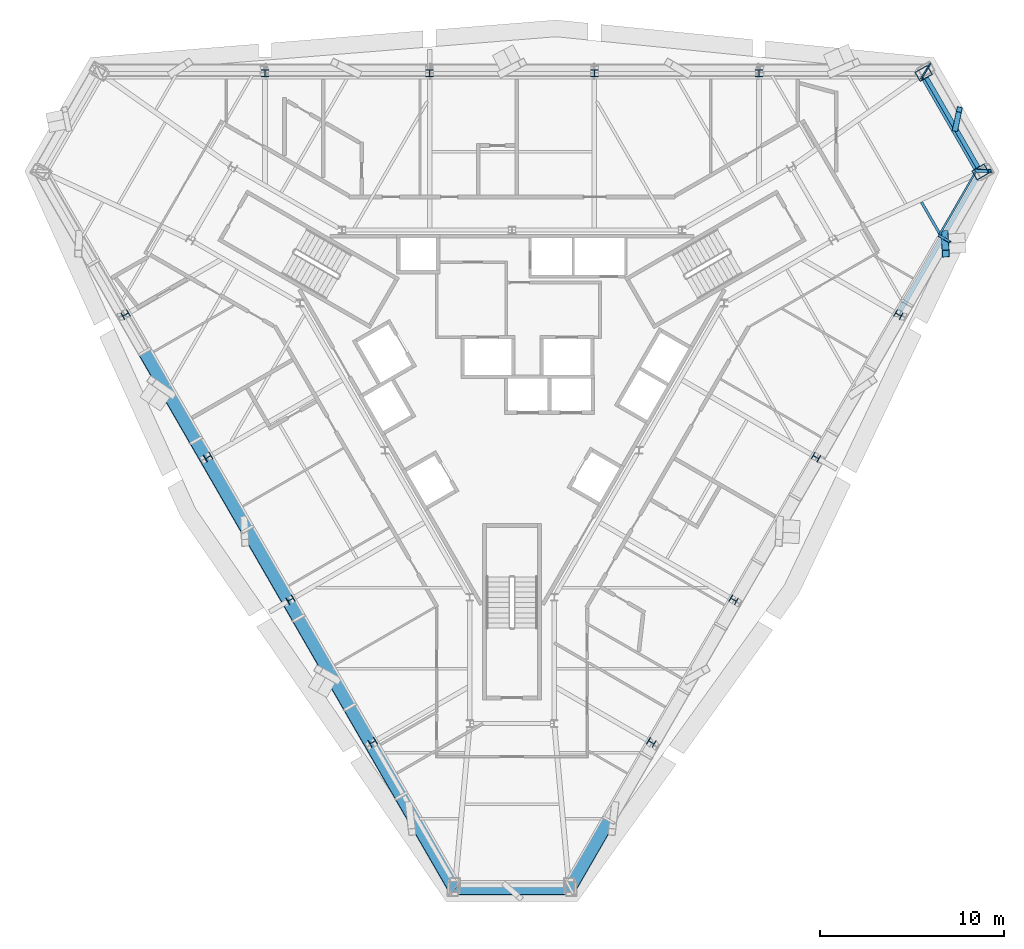
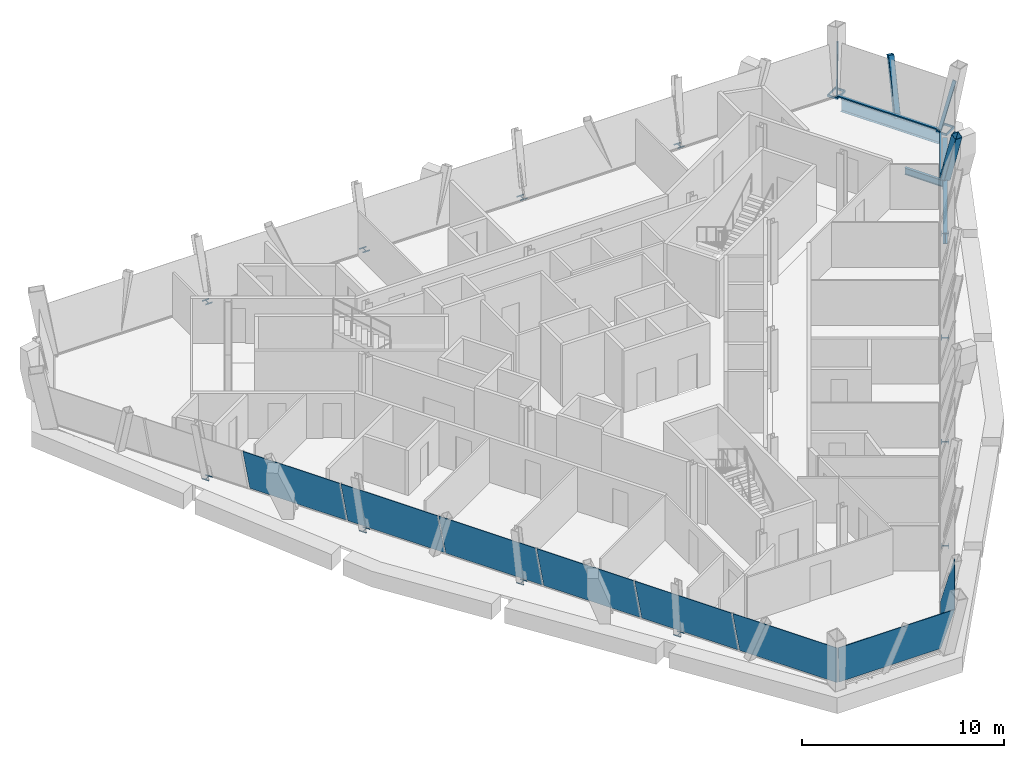
# One storey, part 6 of 13: 21 members, 8 plates, 3 beams, 5 elements without a shape of their own.
"""IFC4 building model written with IfcOpenShell, lengths in metres."""

from ifc_helpers import new_model, si_unit, direction, frame, origin, origin_2d, place, context, subcontext, project, spatial, polyline, rectangle, hollow_rectangle, i_section, outline, extrude, material, layer, layer_set, material_profile, profile_set, type_object, element, aggregate, save


model = new_model("IFC4")

# Units and contexts
model_context = context("Model", 3, precision=1e-05, world=origin(), true_north=direction((0.0, 1.0)))
body_context = subcontext(model_context, "Body", "Model", "MODEL_VIEW")
ifc_project = project(units=[si_unit("LENGTHUNIT", "METRE"), si_unit("AREAUNIT", "SQUARE_METRE"), si_unit("VOLUMEUNIT", "CUBIC_METRE"), si_unit("PLANEANGLEUNIT", "RADIAN"), si_unit("MASSUNIT", "GRAM", prefix="KILO")], contexts=[model_context])

# Site, building, storey
site_placement = place(None, origin())
site = spatial("IfcSite", under=ifc_project, at=site_placement, CompositionType="ELEMENT")
building_placement = place(site_placement, origin())
building = spatial("IfcBuilding", under=site, at=building_placement, Name="Verrane Prism Tower", CompositionType="ELEMENT")
storey_placement = place(building_placement, frame((0.0, 0.0, 243.39990234375)))
storey = spatial("IfcBuildingStorey", under=building, at=storey_placement, Name="L61", CompositionType="ELEMENT", Elevation=243.39990234375)

# Member
ifc_material_1 = material(Name="Steel A500 Grade C", Category="steel")
ifc_material_profile_1 = material_profile(ifc_material_1, hollow_rectangle(XDim=0.3046875, YDim=0.3046875, WallThickness=0.0126953125, InnerFilletRadius=0.00634765625, OuterFilletRadius=0.01904296875, at=origin_2d()), Name="HSS12x12x1/2")
ifc_profile_set_1 = profile_set([ifc_material_profile_1], Name="Steel A500 Grade C")
member_type_1 = type_object("IfcMemberType", Name="Chamfer brace HSS12x12x1/2", PredefinedType="BRACE", material=ifc_profile_set_1)
member_1_placement = place(storey_placement, frame((24.163818359375, 13.526611328125, -0.242431640625), z_axis=(0.065135196987, 0.315712381741, 0.946616658489), x_axis=(-0.979373884975, 0.202056411502, 0.0)))
element("IfcMember", 1, at=member_1_placement, inside=storey, type_object=member_type_1, Name="Chamfer brace NE0 L61", PredefinedType="BRACE", context=body_context, shape_type="SweptSolid", body=[
    extrude(hollow_rectangle(XDim=0.3046875, YDim=0.3046875, WallThickness=0.0126953125, InnerFilletRadius=0.00634765625, OuterFilletRadius=0.01904296875, at=origin_2d()), origin(), (0.0, 0.0, 1.0), 3.283447265625),
])

# Beam
ifc_material_2 = material(Name="Steel A992", Category="steel")
ifc_material_profile_2 = material_profile(ifc_material_2, i_section(OverallWidth=0.2666015625, OverallDepth=0.7568359375, WebThickness=0.013916015625, FlangeThickness=0.019287109375, FilletRadius=0.0166015625, at=origin_2d()), Name="W30x108")
ifc_profile_set_2 = profile_set([ifc_material_profile_2], Name="Steel A992")
beam_type_1 = type_object("IfcBeamType", Name="Chamfer spandrel beam W30x108", PredefinedType="SPANDREL", material=ifc_profile_set_2)
beam_1_placement = place(storey_placement, frame((25.3798828125, 11.419921875, -0.538330078125), z_axis=(-0.499927487467, 0.866067264868, 0.0), x_axis=(-0.866067264868, -0.499927487467, 0.0)))
element("IfcBeam", 2, at=beam_1_placement, inside=storey, type_object=beam_type_1, Name="Chamfer spandrel beam L61", PredefinedType="SPANDREL", context=body_context, shape_type="SweptSolid", body=[
    extrude(i_section(OverallWidth=0.2666015625, OverallDepth=0.7568359375, WebThickness=0.013916015625, FlangeThickness=0.019287109375, FilletRadius=0.0166015625, at=origin_2d()), origin(), (0.0, 0.0, 1.0), 5.600341796875),
])

# Member
ifc_material_3 = material(Name="Steel A500 Grade C", Category="steel")
ifc_material_profile_3 = material_profile(ifc_material_3, hollow_rectangle(XDim=0.406494140625, YDim=0.406494140625, WallThickness=0.01904296875, InnerFilletRadius=0.009521484375, OuterFilletRadius=0.028564453125, at=origin_2d()), Name="HSS16x16x3/4")
ifc_profile_set_3 = profile_set([ifc_material_profile_3], Name="Steel A500 Grade C")
member_type_2 = type_object("IfcMemberType", Name="Facade brace HSS16x16x3/4", PredefinedType="BRACE", material=ifc_profile_set_3)
member_2_placement = place(storey_placement, frame((23.5751953125, 7.769775390625, -0.216552734375), z_axis=(0.018709225609, -0.313778369029, 0.949311908704), x_axis=(0.998227119344, 0.059519897571, 0.0)))
element("IfcMember", 3, at=member_2_placement, inside=storey, type_object=member_type_2, Name="Facade brace SE4 L61", PredefinedType="BRACE", context=body_context, shape_type="SweptSolid", body=[
    extrude(hollow_rectangle(XDim=0.406494140625, YDim=0.406494140625, WallThickness=0.01904296875, InnerFilletRadius=0.009521484375, OuterFilletRadius=0.028564453125, at=origin_2d()), origin(), (0.0, 0.0, 1.0), 3.36669921875),
])

# Beam
ifc_material_4 = material(Name="Steel A992", Category="steel")
ifc_material_profile_4 = material_profile(ifc_material_4, i_section(OverallWidth=0.140380859375, OverallDepth=0.40380859375, WebThickness=0.007080078125, FlangeThickness=0.01123046875, FilletRadius=0.01025390625, at=origin_2d()), Name="W16x31")
ifc_profile_set_4 = profile_set([ifc_material_profile_4], Name="Steel A992")
beam_type_2 = type_object("IfcBeamType", Name="Floor beam W16x31", PredefinedType="BEAM", material=ifc_profile_set_4)
beam_2_placement = place(storey_placement, frame((23.382568359375, 7.66552734375, -0.36181640625), z_axis=(-0.500027542156, 0.866009501729, 0.0), x_axis=(-0.866009501729, -0.500027542156, 0.0)))
element("IfcBeam", 4, at=beam_2_placement, inside=storey, type_object=beam_type_2, Name="Floor beam L61", PredefinedType="BEAM", context=body_context, shape_type="SweptSolid", body=[
    extrude(i_section(OverallWidth=0.140380859375, OverallDepth=0.40380859375, WebThickness=0.007080078125, FlangeThickness=0.01123046875, FilletRadius=0.01025390625, at=origin_2d()), origin(), (0.0, 0.0, 1.0), 2.1474609375),
])

# Members
ifc_material_5 = material(Name="Steel A572 Grade 50", Category="steel")
ifc_material_profile_5 = material_profile(ifc_material_5, hollow_rectangle(XDim=0.60009765625, YDim=0.800048828125, WallThickness=0.050048828125, at=origin_2d()), Name="BOX 800x600x50")
ifc_profile_set_5 = profile_set([ifc_material_profile_5], Name="Steel A572 Grade 50")
member_type_3 = type_object("IfcMemberType", Name="Kink node BOX 800x600x50", PredefinedType="COLLAR", material=ifc_profile_set_5)
for number, where, z_axis, x_axis, name in (
    (5, (25.537109375, 11.159912109375, -0.06494140625), (0.0, 0.0, 1.0), (0.5, -0.866025403784, 0.0), "Kink node MC4 L61"),
    (6, (22.43359375, 16.5361328125, -0.06494140625), (0.0, 0.0, 1.0), (0.5, -0.866025403784, 0.0), "Kink node MC4 L61"),
):
    element("IfcMember", number, at=place(storey_placement, frame(where, z_axis=z_axis, x_axis=x_axis)), inside=storey, type_object=member_type_3, Name=name, PredefinedType="COLLAR", context=body_context, shape_type="SweptSolid", body=[
        extrude(hollow_rectangle(XDim=0.60009765625, YDim=0.800048828125, WallThickness=0.050048828125, at=origin_2d()), origin(), (0.0, 0.0, 1.0), 0.130126953125),
    ])
ifc_material_6 = material(Name="Steel A992", Category="steel")
ifc_material_profile_6 = material_profile(ifc_material_6, i_section(OverallWidth=0.398681640625, OverallDepth=0.385986328125, WebThickness=0.02099609375, FlangeThickness=0.033203125, FilletRadius=0.01513671875, at=origin_2d()), Name="W14x176")
ifc_profile_set_6 = profile_set([ifc_material_profile_6], Name="Steel A992")
member_type_4 = type_object("IfcMemberType", Name="Kink node W14x176", PredefinedType="COLLAR", material=ifc_profile_set_6)
for number, where, z_axis, x_axis, name in (
    (7, (13.461181640625, 16.533203125, -0.034912109375), (0.0, 0.0, 1.0), (1.0, 0.0, 0.0), "Kink node PC9 L61"),
    (8, (4.490478515625, 16.533203125, -0.034912109375), (0.0, 0.0, 1.0), (1.0, 0.0, 0.0), "Kink node PC9 L61"),
    (9, (-4.490478515625, 16.533203125, -0.034912109375), (0.0, 0.0, 1.0), (1.0, 0.0, 0.0), "Kink node PC9 L61"),
    (10, (-13.461181640625, 16.533203125, -0.034912109375), (0.0, 0.0, 1.0), (1.0, 0.0, 0.0), "Kink node PC9 L61"),
    (11, (7.59228515625, -19.922607421875, -0.034912109375), (0.0, 0.0, 1.0), (-0.5, -0.866025403784, 0.0), "Kink node PC9 L61"),
    (12, (12.07275390625, -12.152099609375, -0.034912109375), (0.0, 0.0, 1.0), (-0.5, -0.866025403784, 0.0), "Kink node PC9 L61"),
    (13, (16.56298828125, -4.38134765625, -0.034912109375), (0.0, 0.0, 1.0), (-0.5, -0.866025403784, 0.0), "Kink node PC9 L61"),
    (14, (21.053466796875, 3.389404296875, -0.034912109375), (0.0, 0.0, 1.0), (-0.5, -0.866025403784, 0.0), "Kink node PC9 L61"),
    (15, (-21.053466796875, 3.389404296875, -0.034912109375), (0.0, 0.0, 1.0), (-0.5, 0.866025403784, 0.0), "Kink node PC9 L61"),
    (16, (-16.56298828125, -4.38134765625, -0.034912109375), (0.0, 0.0, 1.0), (-0.5, 0.866025403784, 0.0), "Kink node PC9 L61"),
    (17, (-12.07275390625, -12.152099609375, -0.034912109375), (0.0, 0.0, 1.0), (-0.5, 0.866025403784, 0.0), "Kink node PC9 L61"),
    (18, (-7.59228515625, -19.922607421875, -0.034912109375), (0.0, 0.0, 1.0), (-0.5, 0.866025403784, 0.0), "Kink node PC9 L61"),
):
    element("IfcMember", number, at=place(storey_placement, frame(where, z_axis=z_axis, x_axis=x_axis)), inside=storey, type_object=member_type_4, Name=name, PredefinedType="COLLAR", context=body_context, shape_type="SweptSolid", body=[
        extrude(i_section(OverallWidth=0.398681640625, OverallDepth=0.385986328125, WebThickness=0.02099609375, FlangeThickness=0.033203125, FilletRadius=0.01513671875, at=origin_2d()), origin(), (0.0, 0.0, 1.0), 0.070068359375),
    ])

# Curtain wall, member
ifc_material_7 = material(Name="Aluminium framed insulated glazing", Category="aluminium")
curtain_wall_type_1 = type_object("IfcCurtainWallType", Name="Curtain wall CW-C 4200 module", PredefinedType="NOTDEFINED", material=ifc_material_7)
curtain_wall_1_placement = place(storey_placement, origin())
curtain_wall_1 = element("IfcCurtainWall", 19, at=curtain_wall_1_placement, inside=storey, type_object=curtain_wall_type_1, Name="Glazed curtain wall south-east face L61", PredefinedType="NOTDEFINED")
ifc_material_8 = material(Name="Aluminium alloy 6063-T6", Category="aluminium")
ifc_material_profile_7 = material_profile(ifc_material_8, rectangle(XDim=0.139892578125, YDim=0.050048828125, at=origin_2d()), Name="Mullion 50x140 aluminium")
ifc_profile_set_7 = profile_set([ifc_material_profile_7], Name="Aluminium alloy 6063-T6")
member_type_5 = type_object("IfcMemberType", Name="Mullion 50x140 aluminium", PredefinedType="MULLION", material=ifc_profile_set_7)
member_3_placement = place(storey_placement, frame((23.264892578125, 7.6923828125, 0.0), z_axis=(0.216367259975, -0.124870835096, 0.968293593572), x_axis=(-0.852209741799, -0.508071565066, 0.124907328667)))
member_3 = element("IfcMember", 20, at=member_3_placement, type_object=member_type_5, Name="CW59.6 mullion 11", PredefinedType="MULLION", context=body_context, shape_type="SweptSolid", body=[
    extrude(rectangle(XDim=0.139892578125, YDim=0.050048828125, at=origin_2d()), origin(), (0.0, 0.0, 1.0), 2.8017578125),
])

ifc_material_9 = material(Name="Aluminium framed insulated glazing", Category="aluminium")
curtain_wall_type_2 = type_object("IfcCurtainWallType", Name="Curtain wall CW-A 8400 module", PredefinedType="NOTDEFINED", material=ifc_material_9)
curtain_wall_2_placement = place(storey_placement, origin())
curtain_wall_2 = element("IfcCurtainWall", 21, at=curtain_wall_2_placement, inside=storey, type_object=curtain_wall_type_2, Name="Glazed curtain wall north-east corner L61", PredefinedType="NOTDEFINED")
ifc_material_10 = material(Name="Aluminium alloy 6063-T6", Category="aluminium")
ifc_material_profile_8 = material_profile(ifc_material_10, rectangle(XDim=0.199951171875, YDim=0.070068359375, at=origin_2d()), Name="Mullion 70x200 aluminium")
ifc_profile_set_8 = profile_set([ifc_material_profile_8], Name="Aluminium alloy 6063-T6")
member_type_6 = type_object("IfcMemberType", Name="Mullion 70x200 aluminium", PredefinedType="MULLION", material=ifc_profile_set_8)
member_4_placement = place(storey_placement, frame((25.280029296875, 11.243408203125, 0.0), z_axis=(0.291230931481, -0.01058865048, 0.956594179906), x_axis=(0.446514308699, -0.882832446182, -0.145711509828)))
member_4 = element("IfcMember", 22, at=member_4_placement, type_object=member_type_6, Name="CW59.1 mullion 1", PredefinedType="MULLION", context=body_context, shape_type="SweptSolid", body=[
    extrude(rectangle(XDim=0.199951171875, YDim=0.070068359375, at=origin_2d()), origin(), (0.0, 0.0, 1.0), 2.8359375),
])

curtain_wall_3_placement = place(storey_placement, origin())
curtain_wall_3 = element("IfcCurtainWall", 23, at=curtain_wall_3_placement, inside=storey, type_object=curtain_wall_type_2, Name="Glazed curtain wall north face L61", PredefinedType="NOTDEFINED")
member_5_placement = place(storey_placement, frame((22.32470703125, 16.3017578125, 0.0), z_axis=(0.154955934745, 0.246810369397, 0.956594637161), x_axis=(0.508644123205, 0.810157056239, -0.291421859432)))
member_5 = element("IfcMember", 24, at=member_5_placement, type_object=member_type_6, Name="CW59.2 mullion 1", PredefinedType="MULLION", context=body_context, shape_type="SweptSolid", body=[
    extrude(rectangle(XDim=0.199951171875, YDim=0.070068359375, at=origin_2d()), origin(), (0.0, 0.0, 1.0), 2.8359375),
])
aggregate(curtain_wall_3, [member_5])

# Beam
ifc_material_11 = material(Name="Steel A992", Category="steel")
ifc_material_profile_9 = material_profile(ifc_material_11, i_section(OverallWidth=0.23046875, OverallDepth=0.6171875, WebThickness=0.01318359375, FlangeThickness=0.022216796875, FilletRadius=0.012939453125, at=origin_2d()), Name="W24x94")
ifc_profile_set_9 = profile_set([ifc_material_profile_9], Name="Steel A992")
beam_type_3 = type_object("IfcBeamType", Name="Spandrel beam W24x94", PredefinedType="SPANDREL", material=ifc_profile_set_9)
beam_3_placement = place(storey_placement, frame((21.149658203125, 3.562744140625, -0.468505859375), z_axis=(0.499499405012, 0.866314229591, 0.0), x_axis=(-0.866314229591, 0.499499405012, 0.0)))
element("IfcBeam", 25, at=beam_3_placement, inside=storey, type_object=beam_type_3, Name="Spandrel beam L61", PredefinedType="SPANDREL", context=body_context, shape_type="SweptSolid", body=[
    extrude(i_section(OverallWidth=0.23046875, OverallDepth=0.6171875, WebThickness=0.01318359375, FlangeThickness=0.022216796875, FilletRadius=0.012939453125, at=origin_2d()), origin(), (0.0, 0.0, 1.0), 8.3076171875),
])

# Member
ifc_material_12 = material(Name="Aluminium alloy 6063-T6", Category="aluminium")
ifc_material_profile_10 = material_profile(ifc_material_12, rectangle(XDim=0.10009765625, YDim=0.050048828125, at=origin_2d()), Name="Transom 50x100 aluminium")
ifc_profile_set_10 = profile_set([ifc_material_profile_10], Name="Aluminium alloy 6063-T6")
member_type_7 = type_object("IfcMemberType", Name="Transom 50x100 aluminium", PredefinedType="USERDEFINED", material=ifc_profile_set_10)
member_6_placement = place(storey_placement, frame((23.27734375, 7.714111328125, 0.025146484375), z_axis=(0.500018849926, 0.866014520501, 0.0), x_axis=(-0.866014520501, 0.500018849926, 0.0)))
member_6 = element("IfcMember", 26, at=member_6_placement, type_object=member_type_7, Name="CW59.6 transom 11", ObjectType="TRANSOM", PredefinedType="USERDEFINED", context=body_context, shape_type="SweptSolid", body=[
    extrude(rectangle(XDim=0.10009765625, YDim=0.050048828125, at=origin_2d()), origin(), (0.0, 0.0, 1.0), 4.040283203125),
])

ifc_material_13 = material(Name="Aluminium alloy 6063-T6", Category="aluminium")
ifc_material_profile_11 = material_profile(ifc_material_13, rectangle(XDim=0.14990234375, YDim=0.070068359375, at=origin_2d()), Name="Transom 70x150 aluminium")
ifc_profile_set_11 = profile_set([ifc_material_profile_11], Name="Aluminium alloy 6063-T6")
member_type_8 = type_object("IfcMemberType", Name="Transom 70x150 aluminium", PredefinedType="USERDEFINED", material=ifc_profile_set_11)
member_7_placement = place(storey_placement, frame((25.2626953125, 11.27392578125, 0.03515625), z_axis=(-0.500033069573, 0.866006310216, 0.0), x_axis=(-0.866006310216, -0.500033069573, 0.0)))
member_7 = element("IfcMember", 27, at=member_7_placement, type_object=member_type_8, Name="CW59.1 transom 1", ObjectType="TRANSOM", PredefinedType="USERDEFINED", context=body_context, shape_type="SweptSolid", body=[
    extrude(rectangle(XDim=0.14990234375, YDim=0.070068359375, at=origin_2d()), origin(), (0.0, 0.0, 1.0), 5.8056640625),
])

aggregate(curtain_wall_2, [member_4, member_7])

# Plate
ifc_material_14 = material(Name="Low-iron insulating glass unit", Category="glass")
ifc_layer_1 = layer(ifc_material_14, 0.02392578125)
ifc_layer_set_1 = layer_set([ifc_layer_1], Name="Glazing panel IGU 24")
plate_type_1 = type_object("IfcPlateType", Name="Glazing panel IGU 24", PredefinedType="CURTAIN_PANEL", material=ifc_layer_set_1)
plate_1_placement = place(storey_placement, frame((2.962890625, -27.4716796875, 0.050048828125), z_axis=(-0.837577540089, 0.483544999596, 0.254259901878), x_axis=(0.499976624516, 0.866038899204, 1.620776e-06)))
plate_1 = element("IfcPlate", 28, at=plate_1_placement, type_object=plate_type_1, Name="CW59.6 panel 1", PredefinedType="CURTAIN_PANEL", context=body_context, shape_type="SweptSolid", body=[
    extrude(outline(polyline([(0.0, 0.0), (3.990378318794269, 5.551115123125783e-17), (3.990270861522492, -2.753320659255794), (-0.42941817417550715, -2.7533347532750767), (0.0, 0.0)])), origin(), (0.0, 0.0, -1.0), 0.02392578125),
])

aggregate(curtain_wall_1, [member_3, plate_1, member_6])

# Curtain wall, plates
ifc_material_15 = material(Name="Aluminium framed insulated glazing", Category="aluminium")
curtain_wall_type_3 = type_object("IfcCurtainWallType", Name="Curtain wall CW-B 5600 module", PredefinedType="NOTDEFINED", material=ifc_material_15)
curtain_wall_4_placement = place(storey_placement, origin())
curtain_wall_4 = element("IfcCurtainWall", 29, at=curtain_wall_4_placement, inside=storey, type_object=curtain_wall_type_3, Name="Glazed curtain wall south-west face L61", PredefinedType="NOTDEFINED")
ifc_material_16 = material(Name="Low-iron insulating glass unit", Category="glass")
ifc_layer_2 = layer(ifc_material_16, 0.028076171875)
ifc_layer_set_2 = layer_set([ifc_layer_2], Name="Glazing panel IGU 28")
plate_type_2 = type_object("IfcPlateType", Name="Glazing panel IGU 28", PredefinedType="CURTAIN_PANEL", material=ifc_layer_set_2)
plate_2_placement = place(storey_placement, frame((-19.692626953125, 1.505126953125, 0.06005859375), z_axis=(0.837376813937, 0.483446799441, 0.255106377011), x_axis=(0.499989971015, -0.866031193944, 0.0)))
plate_2 = element("IfcPlate", 30, at=plate_2_placement, type_object=plate_type_2, Name="CW59.4 panel 3", PredefinedType="CURTAIN_PANEL", context=body_context, shape_type="SweptSolid", body=[
    extrude(outline(polyline([(0.0, 0.0), (5.529896074744711, 0.0), (5.529785626232341, -2.7436098696798936), (-0.0001104485123694654, -2.7436098696798936), (0.0, 0.0)])), origin(), (0.0, 0.0, -1.0), 0.028076171875),
])
plate_3_placement = place(storey_placement, frame((-16.897705078125, -3.3359375, 0.06005859375), z_axis=(0.837376813937, 0.483446799441, 0.255106377011), x_axis=(0.499989971015, -0.866031193944, 0.0)))
plate_3 = element("IfcPlate", 31, at=plate_3_placement, type_object=plate_type_2, Name="CW59.4 panel 4", PredefinedType="CURTAIN_PANEL", context=body_context, shape_type="SweptSolid", body=[
    extrude(outline(polyline([(0.0, 0.0), (5.529896074744711, 0.0), (5.529785626232341, -2.7436098696798936), (-0.0001104485123694654, -2.7436098696798936), (0.0, 0.0)])), origin(), (0.0, 0.0, -1.0), 0.028076171875),
])
plate_4_placement = place(storey_placement, frame((-14.102783203125, -8.177001953125, 0.06005859375), z_axis=(0.837376813937, 0.483446799441, 0.255106377011), x_axis=(0.499989971015, -0.866031193944, 0.0)))
plate_4 = element("IfcPlate", 32, at=plate_4_placement, type_object=plate_type_2, Name="CW59.4 panel 5", PredefinedType="CURTAIN_PANEL", context=body_context, shape_type="SweptSolid", body=[
    extrude(outline(polyline([(0.0, 0.0), (5.529896074744711, 0.0), (5.529785626232341, -2.7436098696798936), (-0.0001104485123694654, -2.7436098696798936), (0.0, 0.0)])), origin(), (0.0, 0.0, -1.0), 0.028076171875),
])
plate_5_placement = place(storey_placement, frame((-11.307861328125, -13.017822265625, 0.06005859375), z_axis=(0.837348824293, 0.483473327077, 0.255147973656), x_axis=(0.50002308228, -0.866012076814, 0.0)))
plate_5 = element("IfcPlate", 33, at=plate_5_placement, type_object=plate_type_2, Name="CW59.4 panel 6", PredefinedType="CURTAIN_PANEL", context=body_context, shape_type="SweptSolid", body=[
    extrude(outline(polyline([(0.0, 0.0), (5.530018146650676, 0.0), (5.530092366585048, -2.743641013363769), (7.42199343725658e-05, -2.7436410133637694), (0.0, 0.0)])), origin(), (0.0, 0.0, -1.0), 0.028076171875),
])
plate_6_placement = place(storey_placement, frame((-8.512939453125, -17.85888671875, 0.06005859375), z_axis=(0.837348824293, 0.483473327077, 0.255147973656), x_axis=(0.50002308228, -0.866012076814, 0.0)))
plate_6 = element("IfcPlate", 34, at=plate_6_placement, type_object=plate_type_2, Name="CW59.4 panel 7", PredefinedType="CURTAIN_PANEL", context=body_context, shape_type="SweptSolid", body=[
    extrude(outline(polyline([(0.0, 0.0), (5.530018146650676, 0.0), (5.530092366585048, -2.743641013363769), (7.42199343725658e-05, -2.7436410133637694), (0.0, 0.0)])), origin(), (0.0, 0.0, -1.0), 0.028076171875),
])
plate_7_placement = place(storey_placement, frame((-5.7177734375, -22.699951171875, 0.06005859375), z_axis=(0.83737044043, 0.483445773248, 0.255129241411), x_axis=(0.499991471899, -0.866030327426, 2.43901e-06)))
plate_7 = element("IfcPlate", 35, at=plate_7_placement, type_object=plate_type_2, Name="CW59.4 panel 8", PredefinedType="CURTAIN_PANEL", context=body_context, shape_type="SweptSolid", body=[
    extrude(outline(polyline([(0.0, 0.0), (5.5597541544301725, 2.220446049250313e-16), (5.9644615804918635, -2.7436119423803222), (0.00010624196472015905, -2.7436410117958245), (0.0, 0.0)])), origin(), (0.0, 0.0, -1.0), 0.028076171875),
])
aggregate(curtain_wall_4, [plate_2, plate_3, plate_4, plate_5, plate_6, plate_7])

# Curtain wall, plate
curtain_wall_5_placement = place(storey_placement, origin())
curtain_wall_5 = element("IfcCurtainWall", 36, at=curtain_wall_5_placement, inside=storey, type_object=curtain_wall_type_2, Name="Glazed curtain wall south corner L61", PredefinedType="NOTDEFINED")
ifc_material_17 = material(Name="Low-iron insulating glass unit", Category="glass")
ifc_layer_3 = layer(ifc_material_17, 0.031982421875)
ifc_layer_set_3 = layer_set([ifc_layer_3], Name="Glazing panel IGU 32")
plate_type_3 = type_object("IfcPlateType", Name="Glazing panel IGU 32", PredefinedType="CURTAIN_PANEL", material=ifc_layer_set_3)
plate_8_placement = place(storey_placement, frame((-2.867919921875, -27.514892578125, 0.070068359375), z_axis=(0.0, 0.966648680287, 0.256106089151), x_axis=(1.0, 0.0, 0.0)))
plate_8 = element("IfcPlate", 37, at=plate_8_placement, type_object=plate_type_3, Name="CW59.5 panel 1", PredefinedType="CURTAIN_PANEL", context=body_context, shape_type="SweptSolid", body=[
    extrude(outline(polyline([(0.0, 0.0), (5.805908203125, 0.0), (6.209716796875, -2.734004938424623), (-0.43896484375, -2.734004938424623), (0.0, 0.0)])), origin(), (0.0, 0.0, -1.0), 0.031982421875),
])
aggregate(curtain_wall_5, [plate_8])

save(model, "model.ifc")
